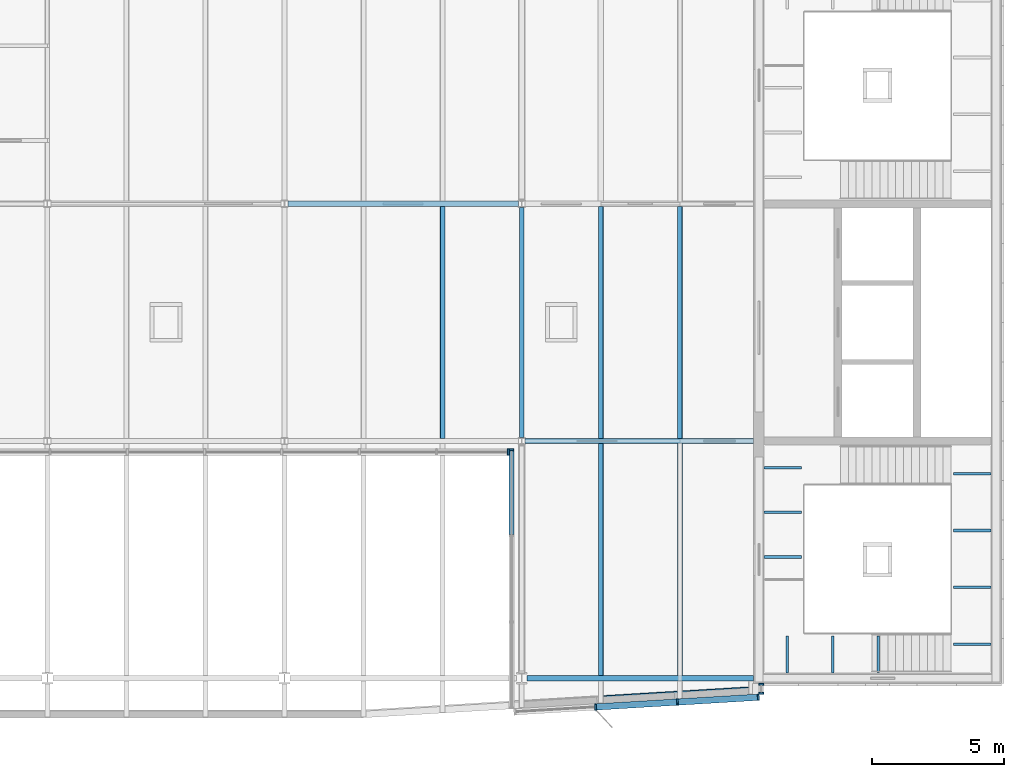
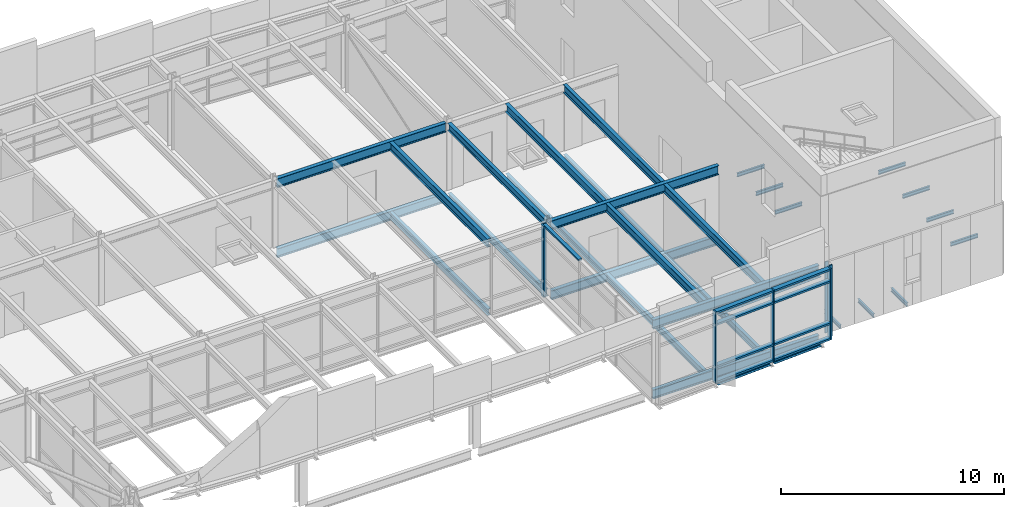
# One storey, part 7 of 23: 32 beams, 16 members, 4 elements without a shape of their own.
"""IFC4 building model written with IfcOpenShell, lengths in metres."""

import ifcopenshell
import ifcopenshell.guid

model = None  # the IFC model being written
_history = None  # IfcOwnerHistory: only IFC2X3 demands one
_inside = {}  # id of a spatial element -> (the spatial element, [elements in it])
_under = {}  # id of a project, library or spatial element -> (it, [spatial elements below it])
_declared = {}  # id of a project -> (the project, [libraries it declares])
_typed = {}  # id of a type object -> (the type object, [elements of that type])
_made_of = {}  # id of a material, layer set ... -> (it, [elements and type objects made of it])


def new_model(schema):
    """Start an empty IFC model of exactly this schema.

    Asked for "IFC4X3", IfcOpenShell would pick the latest addendum, in which some entities
    have other attributes; the version numbers below select the first issue.
    IFC2X3 requires an IfcOwnerHistory on every rooted entity: one is made here for all.
    """
    global model, _history
    if schema == "IFC4X3":
        model = ifcopenshell.file(schema_version=(4, 3, 0, 0))
    else:
        model = ifcopenshell.file(schema=schema)
    _inside.clear()
    _under.clear()
    _declared.clear()
    _typed.clear()
    _made_of.clear()
    _history = None
    if model.schema == "IFC2X3":
        org = make("IfcOrganization", Name="unknown")
        user = make(
            "IfcPersonAndOrganization",
            ThePerson=make("IfcPerson", FamilyName="unknown"),
            TheOrganization=org,
        )
        app = make(
            "IfcApplication",
            ApplicationDeveloper=org,
            Version="unknown",
            ApplicationFullName="unknown",
            ApplicationIdentifier="unknown",
        )
        _history = make(
            "IfcOwnerHistory",
            OwningUser=user,
            OwningApplication=app,
            ChangeAction="ADDED",
            CreationDate=0,
        )
    return model


def make(cls, **values):
    """One entity of the class cls with the attributes given. An attribute that is None is left unset."""
    return model.create_entity(
        cls, **{name: value for name, value in values.items() if value is not None}
    )


def rooted(cls, **values):
    """An entity with a GlobalId (a new one), such as an element, a storey or a relation."""
    return make(cls, GlobalId=ifcopenshell.guid.new(), OwnerHistory=_history, **values)


def si_unit(unit_type, name, prefix=None):
    """IfcSIUnit, for example si_unit("LENGTHUNIT", "METRE", prefix="MILLI")."""
    return make("IfcSIUnit", UnitType=unit_type, Prefix=prefix, Name=name)


def assignment(units):
    """IfcUnitAssignment: the units of a project."""
    return None if units is None else make("IfcUnitAssignment", Units=units)


def point(xyz):
    """IfcCartesianPoint."""
    return None if xyz is None else make("IfcCartesianPoint", Coordinates=xyz)


def direction(xyz):
    """IfcDirection."""
    return None if xyz is None else make("IfcDirection", DirectionRatios=xyz)


def frame(location, z_axis=None, x_axis=None):
    """IfcAxis2Placement3D, a coordinate frame: its origin and axes. An axis left out is left unset."""
    return make(
        "IfcAxis2Placement3D",
        Location=point(location),
        Axis=direction(z_axis),
        RefDirection=direction(x_axis),
    )


def frame_2d(location, x_axis=None):
    """IfcAxis2Placement2D, a coordinate frame in the plane: its origin and x axis."""
    return make(
        "IfcAxis2Placement2D", Location=point(location), RefDirection=direction(x_axis)
    )


def origin():
    """The frame at (0, 0, 0) with its axes left unset."""
    return frame((0.0, 0.0, 0.0))


def origin_2d():
    """The frame at (0, 0) in the plane with its x axis left unset."""
    return frame_2d((0.0, 0.0))


def place(relative_to, where):
    """IfcLocalPlacement: puts the frame where relative to a parent placement (None: the world)."""
    return make(
        "IfcLocalPlacement", PlacementRelTo=relative_to, RelativePlacement=where
    )


def context(
    kind, dimensions, precision=None, world=None, true_north=None, identifier=None
):
    """IfcGeometricRepresentationContext, for example the 3D "Model" context."""
    return make(
        "IfcGeometricRepresentationContext",
        ContextIdentifier=identifier,
        ContextType=kind,
        CoordinateSpaceDimension=dimensions,
        Precision=precision,
        WorldCoordinateSystem=world,
        TrueNorth=true_north,
    )


def subcontext(parent, identifier, kind, view, scale=None):
    """IfcGeometricRepresentationSubContext, for example "Body" below "Model"."""
    return make(
        "IfcGeometricRepresentationSubContext",
        ContextIdentifier=identifier,
        ContextType=kind,
        ParentContext=parent,
        TargetScale=scale,
        TargetView=view,
    )


def project(units=None, contexts=None):
    """IfcProject with its units and contexts."""
    return rooted(
        "IfcProject",
        Name="project",
        RepresentationContexts=contexts,
        UnitsInContext=assignment(units),
    )


def spatial(cls, under=None, at=None, **own):
    """A site, building, storey or space (cls), placed at a placement, below another one or the project."""
    s = rooted(cls, ObjectPlacement=at, **own)
    if under is not None:
        _under.setdefault(under.id(), (under, []))[1].append(s)
    return s


def profile(cls, at=None, kind="AREA", **sizes):
    """A parametric profile (cls). Its sizes go by their IFC names, for example OverallWidth=200.0."""
    return make(cls, ProfileType=kind, Position=at, **sizes)


def rectangle(**sizes):
    """IfcRectangleProfileDef."""
    return profile("IfcRectangleProfileDef", **sizes)


def i_section(**sizes):
    """IfcIShapeProfileDef."""
    return profile("IfcIShapeProfileDef", **sizes)


def extrude(swept, where, along, depth):
    """IfcExtrudedAreaSolid: the profile swept, set in the frame where, extruded along a direction by depth."""
    return make(
        "IfcExtrudedAreaSolid",
        SweptArea=swept,
        Position=where,
        ExtrudedDirection=direction(along),
        Depth=depth,
    )


def shape(context_of_items, identifier, shape_type, items):
    """IfcShapeRepresentation: the items that make up one representation, for example the "Body"."""
    return make(
        "IfcShapeRepresentation",
        ContextOfItems=context_of_items,
        RepresentationIdentifier=identifier,
        RepresentationType=shape_type,
        Items=items,
    )


def material(Name=None, Category=None):
    """IfcMaterial."""
    return make("IfcMaterial", Name=Name, Category=Category)


def material_profile(
    of_material, cross_section, Name=None, Category=None, Priority=None
):
    """IfcMaterialProfile: a cross section and its material."""
    return make(
        "IfcMaterialProfile",
        Name=Name,
        Material=of_material,
        Profile=cross_section,
        Priority=Priority,
        Category=Category,
    )


def profile_set(profiles, Name=None, composite=None):
    """IfcMaterialProfileSet."""
    return make(
        "IfcMaterialProfileSet",
        Name=Name,
        MaterialProfiles=profiles,
        CompositeProfile=composite,
    )


def made_of(thing, what):
    """Note that an element or type object is made of a material, layer set ...; save() writes the relation."""
    if what is not None:
        _made_of.setdefault(what.id(), (what, []))[1].append(thing)
    return thing


def type_object(cls, material=None, **own):
    """A type object (cls), such as IfcWallType, which elements share."""
    return made_of(rooted(cls, **own), material)


def element(
    cls,
    number,
    at=None,
    inside=None,
    cuts=None,
    type_object=None,
    material=None,
    context=None,
    identifier="Body",
    shape_type=None,
    held_by="IfcProductDefinitionShape",
    body=None,
    shapes=None,
    **own,
):
    """One element of the class cls, such as IfcWall. Its Tag is "e" and its number.

    at: its placement. inside: the storey or other place that contains it. cuts: it is an
    opening in that element (IfcRelVoidsElement). A single representation is given by context,
    identifier, shape_type and body (its items); several are given by shapes. held_by: the class
    of the entity that holds the representations. save() writes the other relations.
    """
    e = rooted(cls, Tag="e%d" % number, ObjectPlacement=at, **own)
    if body is not None:
        shapes = [shape(context, identifier, shape_type, body)]
    if shapes is not None:
        e.Representation = make(held_by, Representations=shapes)
    if inside is not None:
        _inside.setdefault(inside.id(), (inside, []))[1].append(e)
    if cuts is not None:
        rooted(
            "IfcRelVoidsElement", RelatingBuildingElement=cuts, RelatedOpeningElement=e
        )
    if type_object is not None:
        _typed.setdefault(type_object.id(), (type_object, []))[1].append(e)
    return made_of(e, material)


def aggregate(whole, parts):
    """IfcRelAggregates: a whole, such as a stair, and the parts it consists of."""
    return rooted("IfcRelAggregates", RelatingObject=whole, RelatedObjects=parts)


def save(model, path):
    """Write the relations noted so far, then the file.

    IfcRelAggregates (storeys below a building ...), IfcRelContainedInSpatialStructure (elements
    in a storey), IfcRelDefinesByType, IfcRelAssociatesMaterial and IfcRelDeclares: one each for
    every whole, place, type object, material and project.
    """
    for whole, parts in _under.values():
        aggregate(whole, parts)
    for where, things in _inside.values():
        rooted(
            "IfcRelContainedInSpatialStructure",
            RelatedElements=things,
            RelatingStructure=where,
        )
    for kind, things in _typed.values():
        rooted("IfcRelDefinesByType", RelatedObjects=things, RelatingType=kind)
    for what, things in _made_of.values():
        rooted("IfcRelAssociatesMaterial", RelatedObjects=things, RelatingMaterial=what)
    for by, libraries in _declared.values():
        rooted("IfcRelDeclares", RelatingContext=by, RelatedDefinitions=libraries)
    model.write(path)


model = new_model("IFC4")

# Units and contexts
model_context = context("Model", 3, precision=1e-05, world=origin(), true_north=direction((0.0, 1.0)))
body_context = subcontext(model_context, "Body", "Model", "MODEL_VIEW")
ifc_project = project(units=[si_unit("LENGTHUNIT", "METRE"), si_unit("AREAUNIT", "SQUARE_METRE"), si_unit("VOLUMEUNIT", "CUBIC_METRE"), si_unit("PLANEANGLEUNIT", "RADIAN"), si_unit("MASSUNIT", "GRAM", prefix="KILO")], contexts=[model_context])

# Site, building, storey
site_placement = place(None, origin())
site = spatial("IfcSite", under=ifc_project, at=site_placement, CompositionType="ELEMENT")
building_placement = place(site_placement, origin())
building = spatial("IfcBuilding", under=site, at=building_placement, Name="Azimuth Sports and Learning Centre", CompositionType="ELEMENT")
storey_placement = place(building_placement, frame((0.0, 0.0, 75.300048828125)))
storey = spatial("IfcBuildingStorey", under=building, at=storey_placement, Name="L17", CompositionType="ELEMENT", Elevation=75.300048828125)

# Beams
ifc_material_1 = material(Name="Steel S355", Category="steel")
ifc_material_profile_1 = material_profile(ifc_material_1, i_section(OverallWidth=0.10009765625, OverallDepth=0.199951171875, WebThickness=0.005615234375, FlangeThickness=0.008544921875, FilletRadius=0.011962890625, at=origin_2d()), Name="IPE 200")
ifc_profile_set_1 = profile_set([ifc_material_profile_1], Name="Steel S355")
beam_type_1 = type_object("IfcBeamType", Name="Beam IPE 200", PredefinedType="BEAM", material=ifc_profile_set_1)
for number, where, z_axis, x_axis, name in (
    (1, (109.0732421875, 90.199951171875, -0.300048828125), (0.0, 1.0, 0.0), (-1.0, 0.0, 0.0), "Landing bracket E1 L17 525"),
    (2, (110.800048828125, 90.199951171875, -0.300048828125), (0.0, 1.0, 0.0), (-1.0, 0.0, 0.0), "Landing bracket E1 L17 526"),
    (3, (112.526611328125, 90.199951171875, -0.300048828125), (0.0, 1.0, 0.0), (-1.0, 0.0, 0.0), "Landing bracket E1 L17 527"),
    (4, (116.800048828125, 91.288818359375, 1.349853515625), (-1.0, 0.0, 0.0), (0.0, -1.0, 0.0), "Landing bracket E1 L17 528"),
    (5, (116.800048828125, 93.4462890625, 1.349853515625), (-1.0, 0.0, 0.0), (0.0, -1.0, 0.0), "Landing bracket E1 L17 529"),
    (6, (116.800048828125, 95.603759765625, 1.349853515625), (-1.0, 0.0, 0.0), (0.0, -1.0, 0.0), "Landing bracket E1 L17 530"),
    (7, (116.800048828125, 97.76123046875, 1.349853515625), (-1.0, 0.0, 0.0), (0.0, -1.0, 0.0), "Landing bracket E1 L17 531"),
    (8, (108.199951171875, 94.598388671875, 3.599853515625), (1.0, 0.0, 0.0), (0.0, 1.0, 0.0), "Landing bracket E1 L17 532"),
    (9, (108.199951171875, 96.294921875, 3.599853515625), (1.0, 0.0, 0.0), (0.0, 1.0, 0.0), "Landing bracket E1 L17 533"),
    (10, (108.199951171875, 97.99169921875, 3.599853515625), (1.0, 0.0, 0.0), (0.0, 1.0, 0.0), "Landing bracket E1 L17 534"),
):
    element("IfcBeam", number, at=place(storey_placement, frame(where, z_axis=z_axis, x_axis=x_axis)), inside=storey, type_object=beam_type_1, Name=name, PredefinedType="BEAM", context=body_context, shape_type="SweptSolid", body=[
        extrude(i_section(OverallWidth=0.10009765625, OverallDepth=0.199951171875, WebThickness=0.005615234375, FlangeThickness=0.008544921875, FilletRadius=0.011962890625, at=origin_2d()), origin(), (0.0, 0.0, 1.0), 1.41015625),
    ])
ifc_material_2 = material(Name="Steel S355", Category="steel")
ifc_material_profile_2 = material_profile(ifc_material_2, i_section(OverallWidth=0.179931640625, OverallDepth=0.39990234375, WebThickness=0.008544921875, FlangeThickness=0.013427734375, FilletRadius=0.02099609375, at=origin_2d()), Name="IPE 400")
ifc_profile_set_2 = profile_set([ifc_material_profile_2], Name="Steel S355")
beam_type_2 = type_object("IfcBeamType", Name="Beam IPE 400", PredefinedType="BEAM", material=ifc_profile_set_2)
for number, where, z_axis, x_axis, name in (
    (11, (99.0, 99.1298828125, -0.330078125), (0.0, 1.0, 0.0), (-1.0, 0.0, 0.0), "Tower tie"),
    (12, (99.0, 99.1298828125, 3.5), (0.0, 1.0, 0.0), (-1.0, 0.0, 0.0), "Roof tie"),
):
    element("IfcBeam", number, at=place(storey_placement, frame(where, z_axis=z_axis, x_axis=x_axis)), inside=storey, type_object=beam_type_2, Name=name, PredefinedType="BEAM", context=body_context, shape_type="SweptSolid", body=[
        extrude(i_section(OverallWidth=0.179931640625, OverallDepth=0.39990234375, WebThickness=0.008544921875, FlangeThickness=0.013427734375, FilletRadius=0.02099609375, at=origin_2d()), origin(), (0.0, 0.0, 1.0), 8.740234375),
    ])
ifc_material_3 = material(Name="Steel S355", Category="steel")
ifc_material_profile_3 = material_profile(ifc_material_3, i_section(OverallWidth=0.199951171875, OverallDepth=0.5, WebThickness=0.01025390625, FlangeThickness=0.01611328125, FilletRadius=0.02099609375, at=origin_2d()), Name="IPE 500")
ifc_profile_set_3 = profile_set([ifc_material_profile_3], Name="Steel S355")
beam_type_3 = type_object("IfcBeamType", Name="Beam IPE 500", PredefinedType="BEAM", material=ifc_profile_set_3)
beam_1_placement = place(storey_placement, frame((99.2060546875, 90.0, -0.380126953125), z_axis=(1.0, 0.0, 0.0), x_axis=(0.0, 1.0, 0.0)))
element("IfcBeam", 13, at=beam_1_placement, inside=storey, type_object=beam_type_3, Name="Tower girder L17", PredefinedType="BEAM", context=body_context, shape_type="SweptSolid", body=[
    extrude(i_section(OverallWidth=0.199951171875, OverallDepth=0.5, WebThickness=0.01025390625, FlangeThickness=0.01611328125, FilletRadius=0.02099609375, at=origin_2d()), origin(), (0.0, 0.0, 1.0), 8.593994140625),
])
beam_2_placement = place(storey_placement, frame((99.1298828125, 99.0, -0.380126953125), z_axis=(1.0, 0.0, 0.0), x_axis=(0.0, 1.0, 0.0)))
element("IfcBeam", 14, at=beam_2_placement, inside=storey, type_object=beam_type_3, Name="Tower girder L17", PredefinedType="BEAM", context=body_context, shape_type="SweptSolid", body=[
    extrude(i_section(OverallWidth=0.199951171875, OverallDepth=0.5, WebThickness=0.01025390625, FlangeThickness=0.01611328125, FilletRadius=0.02099609375, at=origin_2d()), origin(), (0.0, 0.0, 1.0), 8.670166015625),
])
beam_3_placement = place(storey_placement, frame((90.1298828125, 108.0, -0.380126953125), z_axis=(1.0, 0.0, 0.0), x_axis=(0.0, 1.0, 0.0)))
element("IfcBeam", 15, at=beam_3_placement, inside=storey, type_object=beam_type_3, Name="Tower girder L17", PredefinedType="BEAM", context=body_context, shape_type="SweptSolid", body=[
    extrude(i_section(OverallWidth=0.199951171875, OverallDepth=0.5, WebThickness=0.01025390625, FlangeThickness=0.01611328125, FilletRadius=0.02099609375, at=origin_2d()), origin(), (0.0, 0.0, 1.0), 8.740234375),
])
beam_4_placement = place(storey_placement, frame((99.2060546875, 90.0, 3.449951171875), z_axis=(1.0, 0.0, 0.0), x_axis=(0.0, 1.0, 0.0)))
element("IfcBeam", 16, at=beam_4_placement, inside=storey, type_object=beam_type_3, Name="Roof girder", PredefinedType="BEAM", context=body_context, shape_type="SweptSolid", body=[
    extrude(i_section(OverallWidth=0.199951171875, OverallDepth=0.5, WebThickness=0.01025390625, FlangeThickness=0.01611328125, FilletRadius=0.02099609375, at=origin_2d()), origin(), (0.0, 0.0, 1.0), 8.593994140625),
])
beam_5_placement = place(storey_placement, frame((99.1298828125, 99.0, 3.449951171875), z_axis=(1.0, 0.0, 0.0), x_axis=(0.0, 1.0, 0.0)))
element("IfcBeam", 17, at=beam_5_placement, inside=storey, type_object=beam_type_3, Name="Roof girder", PredefinedType="BEAM", context=body_context, shape_type="SweptSolid", body=[
    extrude(i_section(OverallWidth=0.199951171875, OverallDepth=0.5, WebThickness=0.01025390625, FlangeThickness=0.01611328125, FilletRadius=0.02099609375, at=origin_2d()), origin(), (0.0, 0.0, 1.0), 8.670166015625),
])
beam_6_placement = place(storey_placement, frame((90.1298828125, 108.0, 3.449951171875), z_axis=(1.0, 0.0, 0.0), x_axis=(0.0, 1.0, 0.0)))
element("IfcBeam", 18, at=beam_6_placement, inside=storey, type_object=beam_type_3, Name="Roof girder", PredefinedType="BEAM", context=body_context, shape_type="SweptSolid", body=[
    extrude(i_section(OverallWidth=0.199951171875, OverallDepth=0.5, WebThickness=0.01025390625, FlangeThickness=0.01611328125, FilletRadius=0.02099609375, at=origin_2d()), origin(), (0.0, 0.0, 1.0), 8.740234375),
])
ifc_material_4 = material(Name="Steel S355", Category="steel")
ifc_material_profile_4 = material_profile(ifc_material_4, i_section(OverallWidth=0.260009765625, OverallDepth=0.25, WebThickness=0.007568359375, FlangeThickness=0.012451171875, FilletRadius=0.02392578125, at=origin_2d()), Name="HEA 260")
ifc_profile_set_4 = profile_set([ifc_material_profile_4], Name="Steel S355")
beam_type_4 = type_object("IfcBeamType", Name="Edge beam HEA 260", PredefinedType="SPANDREL", material=ifc_profile_set_4)
beam_7_placement = place(storey_placement, frame((102.0849609375, 89.195068359375, -0.255126953125), z_axis=(0.998202373506, 0.059933475842, 0.0), x_axis=(-0.059933475842, 0.998202373506, 0.0)))
element("IfcBeam", 19, at=beam_7_placement, inside=storey, type_object=beam_type_4, Name="Tower edge beam", PredefinedType="SPANDREL", context=body_context, shape_type="SweptSolid", body=[
    extrude(i_section(OverallWidth=0.260009765625, OverallDepth=0.25, WebThickness=0.007568359375, FlangeThickness=0.012451171875, FilletRadius=0.02392578125, at=origin_2d()), origin(), (0.0, 0.0, 1.0), 2.835205078125),
])
beam_8_placement = place(storey_placement, frame((105.0849609375, 89.375, -0.255126953125), z_axis=(0.998201638043, 0.05994572385, 0.0), x_axis=(-0.05994572385, 0.998201638043, 0.0)))
element("IfcBeam", 20, at=beam_8_placement, inside=storey, type_object=beam_type_4, Name="Tower edge beam", PredefinedType="SPANDREL", context=body_context, shape_type="SweptSolid", body=[
    extrude(i_section(OverallWidth=0.260009765625, OverallDepth=0.25, WebThickness=0.007568359375, FlangeThickness=0.012451171875, FilletRadius=0.02392578125, at=origin_2d()), origin(), (0.0, 0.0, 1.0), 2.549560546875),
])
ifc_material_5 = material(Name="Steel S355", Category="steel")
ifc_material_profile_5 = material_profile(ifc_material_5, i_section(OverallWidth=0.280029296875, OverallDepth=0.27001953125, WebThickness=0.008056640625, FlangeThickness=0.012939453125, FilletRadius=0.02392578125, at=origin_2d()), Name="HEA 280")
ifc_profile_set_5 = profile_set([ifc_material_profile_5], Name="Steel S355")
beam_type_5 = type_object("IfcBeamType", Name="Edge beam HEA 280", PredefinedType="SPANDREL", material=ifc_profile_set_5)
beam_9_placement = place(storey_placement, frame((102.094970703125, 89.205810546875, 3.56494140625), z_axis=(0.99820795503, 0.059840442135, 0.0), x_axis=(-0.059840442135, 0.99820795503, 0.0)))
element("IfcBeam", 21, at=beam_9_placement, inside=storey, type_object=beam_type_5, Name="Roof edge beam", PredefinedType="SPANDREL", context=body_context, shape_type="SweptSolid", body=[
    extrude(i_section(OverallWidth=0.280029296875, OverallDepth=0.27001953125, WebThickness=0.008056640625, FlangeThickness=0.012939453125, FilletRadius=0.02392578125, at=origin_2d()), origin(), (0.0, 0.0, 1.0), 2.815185546875),
])
beam_10_placement = place(storey_placement, frame((105.094970703125, 89.3857421875, 3.56494140625), z_axis=(0.998205540535, 0.059880705111, 0.0), x_axis=(-0.059880705111, 0.998205540535, 0.0)))
element("IfcBeam", 22, at=beam_10_placement, inside=storey, type_object=beam_type_5, Name="Roof edge beam", PredefinedType="SPANDREL", context=body_context, shape_type="SweptSolid", body=[
    extrude(i_section(OverallWidth=0.280029296875, OverallDepth=0.27001953125, WebThickness=0.008056640625, FlangeThickness=0.012939453125, FilletRadius=0.02392578125, at=origin_2d()), origin(), (0.0, 0.0, 1.0), 2.519775390625),
])
ifc_material_6 = material(Name="Steel S355", Category="steel")
ifc_material_profile_6 = material_profile(ifc_material_6, i_section(OverallWidth=0.169921875, OverallDepth=0.360107421875, WebThickness=0.008056640625, FlangeThickness=0.0126953125, FilletRadius=0.01806640625, at=origin_2d()), Name="IPE 360")
ifc_profile_set_6 = profile_set([ifc_material_profile_6], Name="Steel S355")
beam_type_6 = type_object("IfcBeamType", Name="Joist IPE 360", PredefinedType="JOIST", material=ifc_profile_set_6)
for number, where, z_axis, x_axis, name in (
    (23, (96.0, 99.10009765625, -0.31005859375), (0.0, 1.0, 0.0), (-1.0, 0.0, 0.0), "Tower joist"),
    (24, (102.0, 90.10009765625, -0.31005859375), (0.0, 1.0, 0.0), (-1.0, 0.0, 0.0), "Tower joist"),
    (25, (102.0, 99.10009765625, -0.31005859375), (0.0, 1.0, 0.0), (-1.0, 0.0, 0.0), "Tower joist"),
    (26, (105.0, 90.10009765625, -0.31005859375), (0.0, 1.0, 0.0), (-1.0, 0.0, 0.0), "Tower joist"),
    (27, (105.0, 99.10009765625, -0.31005859375), (0.0, 1.0, 0.0), (-1.0, 0.0, 0.0), "Tower joist"),
):
    element("IfcBeam", number, at=place(storey_placement, frame(where, z_axis=z_axis, x_axis=x_axis)), inside=storey, type_object=beam_type_6, Name=name, PredefinedType="JOIST", context=body_context, shape_type="SweptSolid", body=[
        extrude(i_section(OverallWidth=0.169921875, OverallDepth=0.360107421875, WebThickness=0.008056640625, FlangeThickness=0.0126953125, FilletRadius=0.01806640625, at=origin_2d()), origin(), (0.0, 0.0, 1.0), 8.7998046875),
    ])
ifc_material_7 = material(Name="Steel S355", Category="steel")
ifc_material_profile_7 = material_profile(ifc_material_7, i_section(OverallWidth=0.18994140625, OverallDepth=0.449951171875, WebThickness=0.009521484375, FlangeThickness=0.0146484375, FilletRadius=0.02099609375, at=origin_2d()), Name="IPE 450")
ifc_profile_set_7 = profile_set([ifc_material_profile_7], Name="Steel S355")
beam_type_7 = type_object("IfcBeamType", Name="Joist IPE 450", PredefinedType="JOIST", material=ifc_profile_set_7)
for number, where, z_axis, x_axis, name in (
    (28, (96.0, 99.10009765625, 3.474853515625), (0.0, 1.0, 0.0), (-1.0, 0.0, 0.0), "Roof joist"),
    (29, (102.0, 90.10009765625, 3.474853515625), (0.0, 1.0, 0.0), (-1.0, 0.0, 0.0), "Roof joist"),
    (30, (102.0, 99.10009765625, 3.474853515625), (0.0, 1.0, 0.0), (-1.0, 0.0, 0.0), "Roof joist"),
    (31, (105.0, 90.10009765625, 3.474853515625), (0.0, 1.0, 0.0), (-1.0, 0.0, 0.0), "Roof joist"),
    (32, (105.0, 99.10009765625, 3.474853515625), (0.0, 1.0, 0.0), (-1.0, 0.0, 0.0), "Roof joist"),
):
    element("IfcBeam", number, at=place(storey_placement, frame(where, z_axis=z_axis, x_axis=x_axis)), inside=storey, type_object=beam_type_7, Name=name, PredefinedType="JOIST", context=body_context, shape_type="SweptSolid", body=[
        extrude(i_section(OverallWidth=0.18994140625, OverallDepth=0.449951171875, WebThickness=0.009521484375, FlangeThickness=0.0146484375, FilletRadius=0.02099609375, at=origin_2d()), origin(), (0.0, 0.0, 1.0), 8.7998046875),
    ])

# Curtain wall, member
ifc_material_8 = material(Name="Aluminium and glass", Category="aluminium")
curtain_wall_type_1 = type_object("IfcCurtainWallType", Name="Curtain wall tower return 180", PredefinedType="NOTDEFINED", material=ifc_material_8)
curtain_wall_1_placement = place(storey_placement, origin())
curtain_wall_1 = element("IfcCurtainWall", 33, at=curtain_wall_1_placement, inside=storey, type_object=curtain_wall_type_1, Name="Curtain wall CW17-005", PredefinedType="NOTDEFINED")
ifc_material_9 = material(Name="Aluminium", Category="aluminium")
ifc_material_profile_8 = material_profile(ifc_material_9, rectangle(XDim=0.179931640625, YDim=0.06005859375, at=origin_2d()), Name="Mullion 60x180")
ifc_profile_set_8 = profile_set([ifc_material_profile_8], Name="Aluminium")
member_type_1 = type_object("IfcMemberType", Name="Mullion 60x180", PredefinedType="MULLION", material=ifc_profile_set_8)
member_1_placement = place(storey_placement, frame((98.610107421875, 98.669921875, 0.0), z_axis=(0.0, 0.0, 1.0), x_axis=(1.0, 0.0, 0.0)))
member_1 = element("IfcMember", 34, at=member_1_placement, type_object=member_type_1, Name="CW17-005 mullion 1", PredefinedType="MULLION", context=body_context, shape_type="SweptSolid", body=[
    extrude(rectangle(XDim=0.179931640625, YDim=0.06005859375, at=origin_2d()), origin(), (0.0, 0.0, 1.0), 3.89990234375),
])

# Curtain wall, members
curtain_wall_2_placement = place(storey_placement, origin())
curtain_wall_2 = element("IfcCurtainWall", 35, at=curtain_wall_2_placement, inside=storey, type_object=curtain_wall_type_1, Name="Curtain wall CW17-007", PredefinedType="NOTDEFINED")
member_2_placement = place(storey_placement, frame((108.090087890625, 89.429931640625, 0.0), z_axis=(0.0, 0.0, 1.0), x_axis=(-1.0, 0.0, 0.0)))
member_2 = element("IfcMember", 36, at=member_2_placement, type_object=member_type_1, Name="CW17-007 mullion 1", PredefinedType="MULLION", context=body_context, shape_type="SweptSolid", body=[
    extrude(rectangle(XDim=0.179931640625, YDim=0.06005859375, at=origin_2d()), origin(), (0.0, 0.0, 1.0), 3.89990234375),
])
member_3_placement = place(storey_placement, frame((108.090087890625, 89.77001953125, 0.0), z_axis=(0.0, 0.0, 1.0), x_axis=(-1.0, 0.0, 0.0)))
member_3 = element("IfcMember", 37, at=member_3_placement, type_object=member_type_1, Name="CW17-007 mullion 2", PredefinedType="MULLION", context=body_context, shape_type="SweptSolid", body=[
    extrude(rectangle(XDim=0.179931640625, YDim=0.06005859375, at=origin_2d()), origin(), (0.0, 0.0, 1.0), 3.89990234375),
])
aggregate(curtain_wall_2, [member_2, member_3])

# Curtain wall, member
ifc_material_10 = material(Name="Aluminium and glass", Category="aluminium")
curtain_wall_type_2 = type_object("IfcCurtainWallType", Name="Curtain wall tower south 240", PredefinedType="NOTDEFINED", material=ifc_material_10)
curtain_wall_3_placement = place(storey_placement, origin())
curtain_wall_3 = element("IfcCurtainWall", 38, at=curtain_wall_3_placement, inside=storey, type_object=curtain_wall_type_2, Name="Curtain wall CW17-004", PredefinedType="NOTDEFINED")
ifc_material_11 = material(Name="Aluminium", Category="aluminium")
ifc_material_profile_9 = material_profile(ifc_material_11, rectangle(XDim=0.239990234375, YDim=0.070068359375, at=origin_2d()), Name="Mullion 70x240")
ifc_profile_set_9 = profile_set([ifc_material_profile_9], Name="Aluminium")
member_type_2 = type_object("IfcMemberType", Name="Mullion 70x240", PredefinedType="MULLION", material=ifc_profile_set_9)
member_4_placement = place(storey_placement, frame((98.485107421875, 98.580078125, 0.0), z_axis=(0.0, 0.0, 1.0), x_axis=(0.0, 1.0, 0.0)))
member_4 = element("IfcMember", 39, at=member_4_placement, type_object=member_type_2, Name="CW17-004 mullion 10", PredefinedType="MULLION", context=body_context, shape_type="SweptSolid", body=[
    extrude(rectangle(XDim=0.239990234375, YDim=0.070068359375, at=origin_2d()), origin(), (0.0, 0.0, 1.0), 3.89990234375),
])
aggregate(curtain_wall_3, [member_4])

# Curtain wall, members
curtain_wall_4_placement = place(storey_placement, origin())
curtain_wall_4 = element("IfcCurtainWall", 40, at=curtain_wall_4_placement, inside=storey, type_object=curtain_wall_type_2, Name="Curtain wall CW17-006", PredefinedType="NOTDEFINED")
member_5_placement = place(storey_placement, frame((101.80712890625, 88.908203125, 0.0), z_axis=(0.0, 0.0, 1.0), x_axis=(-0.059891991812, 0.998204863401, 0.0)))
member_5 = element("IfcMember", 41, at=member_5_placement, type_object=member_type_2, Name="CW17-006 mullion 2", PredefinedType="MULLION", context=body_context, shape_type="SweptSolid", body=[
    extrude(rectangle(XDim=0.239990234375, YDim=0.070068359375, at=origin_2d()), origin(), (0.0, 0.0, 1.0), 3.89990234375),
])
member_6_placement = place(storey_placement, frame((104.9072265625, 89.09423828125, 0.0), z_axis=(0.0, 0.0, 1.0), x_axis=(-0.059891991812, 0.998204863401, 0.0)))
member_6 = element("IfcMember", 42, at=member_6_placement, type_object=member_type_2, Name="CW17-006 mullion 3", PredefinedType="MULLION", context=body_context, shape_type="SweptSolid", body=[
    extrude(rectangle(XDim=0.239990234375, YDim=0.070068359375, at=origin_2d()), origin(), (0.0, 0.0, 1.0), 3.89990234375),
])
member_7_placement = place(storey_placement, frame((107.97216796875, 89.278076171875, 0.0), z_axis=(0.0, 0.0, 1.0), x_axis=(-0.059891991812, 0.998204863401, 0.0)))
member_7 = element("IfcMember", 43, at=member_7_placement, type_object=member_type_2, Name="CW17-006 mullion 4", PredefinedType="MULLION", context=body_context, shape_type="SweptSolid", body=[
    extrude(rectangle(XDim=0.239990234375, YDim=0.070068359375, at=origin_2d()), origin(), (0.0, 0.0, 1.0), 3.89990234375),
])

# Member
ifc_material_12 = material(Name="Aluminium", Category="aluminium")
ifc_material_profile_10 = material_profile(ifc_material_12, rectangle(XDim=0.179931640625, YDim=0.10009765625, at=origin_2d()), Name="Transom 100x180")
ifc_profile_set_10 = profile_set([ifc_material_profile_10], Name="Aluminium")
member_type_3 = type_object("IfcMemberType", Name="Transom 100x180", PredefinedType="USERDEFINED", material=ifc_profile_set_10)
member_8_placement = place(storey_placement, frame((98.610107421875, 98.639892578125, 3.849853515625), z_axis=(0.0, -1.0, 0.0), x_axis=(1.0, 0.0, 0.0)))
member_8 = element("IfcMember", 44, at=member_8_placement, type_object=member_type_3, Name="CW17-005 transom 1.4", ObjectType="TRANSOM", PredefinedType="USERDEFINED", context=body_context, shape_type="SweptSolid", body=[
    extrude(rectangle(XDim=0.179931640625, YDim=0.10009765625, at=origin_2d()), origin(), (0.0, 0.0, 1.0), 3.19580078125),
])

aggregate(curtain_wall_1, [member_1, member_8])

ifc_material_13 = material(Name="Aluminium", Category="aluminium")
ifc_material_profile_11 = material_profile(ifc_material_13, rectangle(XDim=0.239990234375, YDim=0.10009765625, at=origin_2d()), Name="Transom 100x240")
ifc_profile_set_11 = profile_set([ifc_material_profile_11], Name="Aluminium")
member_type_4 = type_object("IfcMemberType", Name="Transom 100x240", PredefinedType="USERDEFINED", material=ifc_profile_set_11)
member_9_placement = place(storey_placement, frame((101.842041015625, 88.910400390625, 0.050048828125), z_axis=(0.998208305603, 0.05983459389, 0.0), x_axis=(-0.05983459389, 0.998208305603, 0.0)))
member_9 = element("IfcMember", 45, at=member_9_placement, type_object=member_type_4, Name="CW17-006 transom 2.1", ObjectType="TRANSOM", PredefinedType="USERDEFINED", context=body_context, shape_type="SweptSolid", body=[
    extrude(rectangle(XDim=0.239990234375, YDim=0.10009765625, at=origin_2d()), origin(), (0.0, 0.0, 1.0), 3.03564453125),
])

member_10_placement = place(storey_placement, frame((101.842041015625, 88.910400390625, 0.89990234375), z_axis=(0.998208305603, 0.05983459389, 0.0), x_axis=(-0.05983459389, 0.998208305603, 0.0)))
member_10 = element("IfcMember", 46, at=member_10_placement, type_object=member_type_4, Name="CW17-006 transom 2.2", ObjectType="TRANSOM", PredefinedType="USERDEFINED", context=body_context, shape_type="SweptSolid", body=[
    extrude(rectangle(XDim=0.239990234375, YDim=0.10009765625, at=origin_2d()), origin(), (0.0, 0.0, 1.0), 3.03564453125),
])

member_11_placement = place(storey_placement, frame((101.842041015625, 88.910400390625, 3.199951171875), z_axis=(0.998208305603, 0.05983459389, 0.0), x_axis=(-0.05983459389, 0.998208305603, 0.0)))
member_11 = element("IfcMember", 47, at=member_11_placement, type_object=member_type_4, Name="CW17-006 transom 2.3", ObjectType="TRANSOM", PredefinedType="USERDEFINED", context=body_context, shape_type="SweptSolid", body=[
    extrude(rectangle(XDim=0.239990234375, YDim=0.10009765625, at=origin_2d()), origin(), (0.0, 0.0, 1.0), 3.03564453125),
])

member_12_placement = place(storey_placement, frame((101.842041015625, 88.910400390625, 3.849853515625), z_axis=(0.998208305603, 0.05983459389, 0.0), x_axis=(-0.05983459389, 0.998208305603, 0.0)))
member_12 = element("IfcMember", 48, at=member_12_placement, type_object=member_type_4, Name="CW17-006 transom 2.4", ObjectType="TRANSOM", PredefinedType="USERDEFINED", context=body_context, shape_type="SweptSolid", body=[
    extrude(rectangle(XDim=0.239990234375, YDim=0.10009765625, at=origin_2d()), origin(), (0.0, 0.0, 1.0), 3.03564453125),
])

member_13_placement = place(storey_placement, frame((104.942138671875, 89.09619140625, 0.050048828125), z_axis=(0.998200367377, 0.059966878934, 0.0), x_axis=(-0.059966878934, 0.998200367377, 0.0)))
member_13 = element("IfcMember", 49, at=member_13_placement, type_object=member_type_4, Name="CW17-006 transom 3.1", ObjectType="TRANSOM", PredefinedType="USERDEFINED", context=body_context, shape_type="SweptSolid", body=[
    extrude(rectangle(XDim=0.239990234375, YDim=0.10009765625, at=origin_2d()), origin(), (0.0, 0.0, 1.0), 3.00048828125),
])

member_14_placement = place(storey_placement, frame((104.942138671875, 89.09619140625, 0.89990234375), z_axis=(0.998200367377, 0.059966878934, 0.0), x_axis=(-0.059966878934, 0.998200367377, 0.0)))
member_14 = element("IfcMember", 50, at=member_14_placement, type_object=member_type_4, Name="CW17-006 transom 3.2", ObjectType="TRANSOM", PredefinedType="USERDEFINED", context=body_context, shape_type="SweptSolid", body=[
    extrude(rectangle(XDim=0.239990234375, YDim=0.10009765625, at=origin_2d()), origin(), (0.0, 0.0, 1.0), 3.00048828125),
])

member_15_placement = place(storey_placement, frame((104.942138671875, 89.09619140625, 3.199951171875), z_axis=(0.998200367377, 0.059966878934, 0.0), x_axis=(-0.059966878934, 0.998200367377, 0.0)))
member_15 = element("IfcMember", 51, at=member_15_placement, type_object=member_type_4, Name="CW17-006 transom 3.3", ObjectType="TRANSOM", PredefinedType="USERDEFINED", context=body_context, shape_type="SweptSolid", body=[
    extrude(rectangle(XDim=0.239990234375, YDim=0.10009765625, at=origin_2d()), origin(), (0.0, 0.0, 1.0), 3.00048828125),
])

member_16_placement = place(storey_placement, frame((104.942138671875, 89.09619140625, 3.849853515625), z_axis=(0.998200367377, 0.059966878934, 0.0), x_axis=(-0.059966878934, 0.998200367377, 0.0)))
member_16 = element("IfcMember", 52, at=member_16_placement, type_object=member_type_4, Name="CW17-006 transom 3.4", ObjectType="TRANSOM", PredefinedType="USERDEFINED", context=body_context, shape_type="SweptSolid", body=[
    extrude(rectangle(XDim=0.239990234375, YDim=0.10009765625, at=origin_2d()), origin(), (0.0, 0.0, 1.0), 3.00048828125),
])

aggregate(curtain_wall_4, [member_5, member_6, member_7, member_9, member_10, member_11, member_12, member_13, member_14, member_15, member_16])

save(model, "model.ifc")
